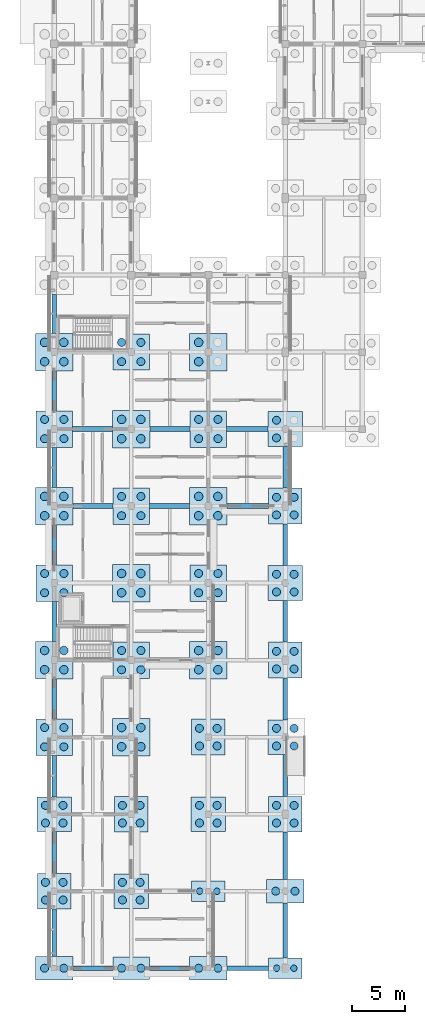
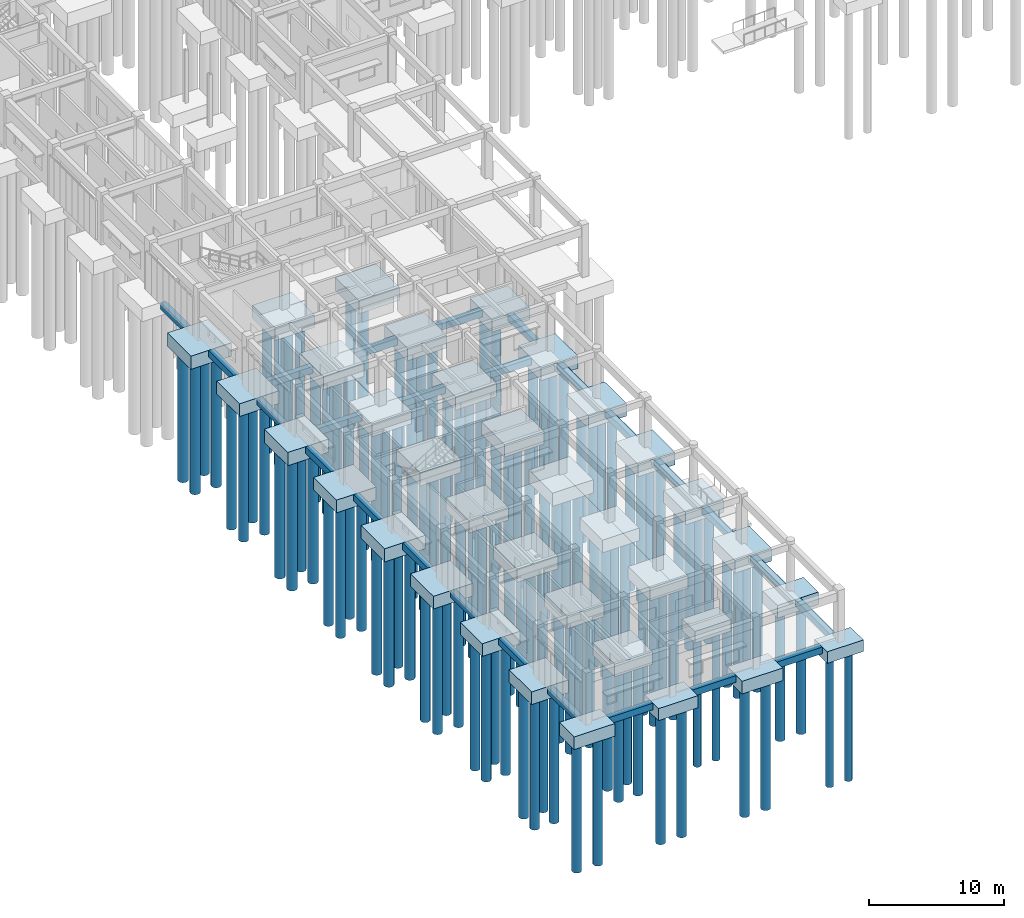
# One storey, part 1 of 111: 124 piles, 60 footings.
"""IFC4 building model written with IfcOpenShell, lengths in metres."""

from ifc_helpers import new_model, si_unit, direction, frame, origin, origin_2d, place, context, subcontext, project, spatial, rectangle, circle, extrude, material, layer, layer_set, material_profile, profile_set, type_object, element, save


model = new_model("IFC4")

# Units and contexts
model_context = context("Model", 3, precision=1e-05, world=origin(), true_north=direction((0.0, 1.0)))
body_context = subcontext(model_context, "Body", "Model", "MODEL_VIEW")
ifc_project = project(units=[si_unit("LENGTHUNIT", "METRE"), si_unit("AREAUNIT", "SQUARE_METRE"), si_unit("VOLUMEUNIT", "CUBIC_METRE"), si_unit("PLANEANGLEUNIT", "RADIAN"), si_unit("MASSUNIT", "GRAM", prefix="KILO")], contexts=[model_context])

# Site, building, storey
site_placement = place(None, origin())
site = spatial("IfcSite", under=ifc_project, at=site_placement, CompositionType="ELEMENT")
building_placement = place(site_placement, origin())
building = spatial("IfcBuilding", under=site, at=building_placement, Name="Aldebral Square Health Centre", CompositionType="ELEMENT")
storey_placement = place(building_placement, origin())
storey = spatial("IfcBuildingStorey", under=building, at=storey_placement, Name="L00", CompositionType="ELEMENT", Elevation=0.0)

# Footings
ifc_material = material(Name="Concrete C35/45", Category="concrete")
ifc_layer_1 = layer(ifc_material, 1.14990234375, Name="Concrete C35/45", Category="concrete")
ifc_layer_set_1 = layer_set([ifc_layer_1], Name="Concrete C35/45")
footing_type_1 = type_object("IfcFootingType", Name="FT-PC2A", PredefinedType="PILE_CAP", material=ifc_layer_set_1)
for number, where, z_axis, x_axis, name in (
    (1, (0.0, 0.0, -1.39990234375), (0.0, 0.0, 1.0), (1.0, 0.0, 0.0), "Pile cap PC7 at 1/1"),
    (2, (14.39990234375, 0.0, -1.39990234375), (0.0, 0.0, 1.0), (1.0, 0.0, 0.0), "Pile cap PC7 at 3/1"),
    (3, (21.60009765625, 7.199951171875, -1.39990234375), (0.0, 0.0, 1.0), (1.0, 0.0, 0.0), "Pile cap PC7 at 4/2"),
):
    element("IfcFooting", number, at=place(storey_placement, frame(where, z_axis=z_axis, x_axis=x_axis)), inside=storey, type_object=footing_type_1, Name=name, PredefinedType="PILE_CAP", context=body_context, shape_type="SweptSolid", body=[
        extrude(rectangle(XDim=3.5, YDim=2.199951171875, at=origin_2d()), origin(), (0.0, 0.0, 1.0), 1.14990234375),
    ])
ifc_layer_2 = layer(ifc_material, 1.10009765625, Name="Concrete C35/45", Category="concrete")
ifc_layer_set_2 = layer_set([ifc_layer_2], Name="Concrete C35/45")
footing_type_2 = type_object("IfcFootingType", Name="FT-PC2B", PredefinedType="PILE_CAP", material=ifc_layer_set_2)
footing_1_placement = place(storey_placement, frame((7.199951171875, 0.0, -1.35009765625), z_axis=(0.0, 0.0, 1.0), x_axis=(1.0, 0.0, 0.0)))
element("IfcFooting", 4, at=footing_1_placement, inside=storey, type_object=footing_type_2, Name="Pile cap PC8 at 2/1", PredefinedType="PILE_CAP", context=body_context, shape_type="SweptSolid", body=[
    extrude(rectangle(XDim=3.39990234375, YDim=2.10009765625, at=origin_2d()), origin(), (0.0, 0.0, 1.0), 1.10009765625),
])
ifc_layer_3 = layer(ifc_material, 1.050048828125, Name="Concrete C35/45", Category="concrete")
ifc_layer_set_3 = layer_set([ifc_layer_3], Name="Concrete C35/45")
footing_type_3 = type_object("IfcFootingType", Name="FT-PC2D", PredefinedType="PILE_CAP", material=ifc_layer_set_3)
for number, where, z_axis, x_axis, name in (
    (5, (14.39990234375, 7.199951171875, -1.2998046875), (0.0, 0.0, 1.0), (1.0, 0.0, 0.0), "Pile cap PC10 at 3/2"),
    (6, (21.60009765625, 0.0, -1.2998046875), (0.0, 0.0, 1.0), (1.0, 0.0, 0.0), "Pile cap PC10 at 4/1"),
):
    element("IfcFooting", number, at=place(storey_placement, frame(where, z_axis=z_axis, x_axis=x_axis)), inside=storey, type_object=footing_type_3, Name=name, PredefinedType="PILE_CAP", context=body_context, shape_type="SweptSolid", body=[
        extrude(rectangle(XDim=3.10009765625, YDim=1.89990234375, at=origin_2d()), origin(), (0.0, 0.0, 1.0), 1.050048828125),
    ])
ifc_layer_4 = layer(ifc_material, 1.199951171875, Name="Concrete C35/45", Category="concrete")
ifc_layer_set_4 = layer_set([ifc_layer_4], Name="Concrete C35/45")
footing_type_4 = type_object("IfcFootingType", Name="FT-PC4C", PredefinedType="PILE_CAP", material=ifc_layer_set_4)
for number, where, z_axis, x_axis, name in (
    (7, (0.0, 28.800048828125, -1.4501953125), (0.0, 0.0, 1.0), (1.0, 0.0, 0.0), "Pile cap PC3 at 1/5"),
    (8, (0.0, 43.199951171875, -1.4501953125), (0.0, 0.0, 1.0), (1.0, 0.0, 0.0), "Pile cap PC3 at 1/7"),
    (9, (0.0, 57.60009765625, -1.4501953125), (0.0, 0.0, 1.0), (1.0, 0.0, 0.0), "Pile cap PC3 at 1/9"),
    (10, (7.199951171875, 21.60009765625, -1.4501953125), (0.0, 0.0, 1.0), (1.0, 0.0, 0.0), "Pile cap PC3 at 2/4"),
    (11, (7.199951171875, 36.0, -1.4501953125), (0.0, 0.0, 1.0), (1.0, 0.0, 0.0), "Pile cap PC3 at 2/6"),
    (12, (7.199951171875, 50.39990234375, -1.4501953125), (0.0, 0.0, 1.0), (1.0, 0.0, 0.0), "Pile cap PC3 at 2/8"),
    (13, (14.39990234375, 28.800048828125, -1.4501953125), (0.0, 0.0, 1.0), (1.0, 0.0, 0.0), "Pile cap PC3 at 3/5"),
    (14, (14.39990234375, 43.199951171875, -1.4501953125), (0.0, 0.0, 1.0), (1.0, 0.0, 0.0), "Pile cap PC3 at 3/7"),
    (15, (14.39990234375, 57.60009765625, -1.4501953125), (0.0, 0.0, 1.0), (1.0, 0.0, 0.0), "Pile cap PC3 at 3/9"),
):
    element("IfcFooting", number, at=place(storey_placement, frame(where, z_axis=z_axis, x_axis=x_axis)), inside=storey, type_object=footing_type_4, Name=name, PredefinedType="PILE_CAP", context=body_context, shape_type="SweptSolid", body=[
        extrude(rectangle(XDim=3.5, YDim=3.5, at=origin_2d()), origin(), (0.0, 0.0, 1.0), 1.199951171875),
    ])
ifc_layer_5 = layer(ifc_material, 1.14990234375, Name="Concrete C35/45", Category="concrete")
ifc_layer_set_5 = layer_set([ifc_layer_5], Name="Concrete C35/45")
footing_type_5 = type_object("IfcFootingType", Name="FT-PC4D", PredefinedType="PILE_CAP", material=ifc_layer_set_5)
for number, where, z_axis, x_axis, name in (
    (16, (0.0, 21.60009765625, -1.39990234375), (0.0, 0.0, 1.0), (1.0, 0.0, 0.0), "Pile cap PC4 at 1/4"),
    (17, (0.0, 36.0, -1.39990234375), (0.0, 0.0, 1.0), (1.0, 0.0, 0.0), "Pile cap PC4 at 1/6"),
    (18, (0.0, 50.39990234375, -1.39990234375), (0.0, 0.0, 1.0), (1.0, 0.0, 0.0), "Pile cap PC4 at 1/8"),
    (19, (7.199951171875, 28.800048828125, -1.39990234375), (0.0, 0.0, 1.0), (1.0, 0.0, 0.0), "Pile cap PC4 at 2/5"),
    (20, (7.199951171875, 43.199951171875, -1.39990234375), (0.0, 0.0, 1.0), (1.0, 0.0, 0.0), "Pile cap PC4 at 2/7"),
    (21, (7.199951171875, 57.60009765625, -1.39990234375), (0.0, 0.0, 1.0), (1.0, 0.0, 0.0), "Pile cap PC4 at 2/9"),
    (22, (14.39990234375, 36.0, -1.39990234375), (0.0, 0.0, 1.0), (1.0, 0.0, 0.0), "Pile cap PC4 at 3/6"),
    (23, (14.39990234375, 50.39990234375, -1.39990234375), (0.0, 0.0, 1.0), (1.0, 0.0, 0.0), "Pile cap PC4 at 3/8"),
):
    element("IfcFooting", number, at=place(storey_placement, frame(where, z_axis=z_axis, x_axis=x_axis)), inside=storey, type_object=footing_type_5, Name=name, PredefinedType="PILE_CAP", context=body_context, shape_type="SweptSolid", body=[
        extrude(rectangle(XDim=3.39990234375, YDim=3.39990234375, at=origin_2d()), origin(), (0.0, 0.0, 1.0), 1.14990234375),
    ])
ifc_layer_6 = layer(ifc_material, 1.14990234375, Name="Concrete C35/45", Category="concrete")
ifc_layer_set_6 = layer_set([ifc_layer_6], Name="Concrete C35/45")
footing_type_6 = type_object("IfcFootingType", Name="FT-PC4E", PredefinedType="PILE_CAP", material=ifc_layer_set_6)
for number, where, z_axis, x_axis, name in (
    (24, (0.0, 14.39990234375, -1.39990234375), (0.0, 0.0, 1.0), (1.0, 0.0, 0.0), "Pile cap PC5 at 1/3"),
    (25, (7.199951171875, 7.199951171875, -1.39990234375), (0.0, 0.0, 1.0), (1.0, 0.0, 0.0), "Pile cap PC5 at 2/2"),
    (26, (14.39990234375, 14.39990234375, -1.39990234375), (0.0, 0.0, 1.0), (1.0, 0.0, 0.0), "Pile cap PC5 at 3/3"),
    (27, (21.60009765625, 21.60009765625, -1.39990234375), (0.0, 0.0, 1.0), (1.0, 0.0, 0.0), "Pile cap PC5 at 4/4"),
    (28, (21.60009765625, 36.0, -1.39990234375), (0.0, 0.0, 1.0), (1.0, 0.0, 0.0), "Pile cap PC5 at 4/6"),
    (29, (21.60009765625, 50.39990234375, -1.39990234375), (0.0, 0.0, 1.0), (1.0, 0.0, 0.0), "Pile cap PC5 at 4/8"),
):
    element("IfcFooting", number, at=place(storey_placement, frame(where, z_axis=z_axis, x_axis=x_axis)), inside=storey, type_object=footing_type_6, Name=name, PredefinedType="PILE_CAP", context=body_context, shape_type="SweptSolid", body=[
        extrude(rectangle(XDim=3.25, YDim=3.25, at=origin_2d()), origin(), (0.0, 0.0, 1.0), 1.14990234375),
    ])
ifc_layer_7 = layer(ifc_material, 1.14990234375, Name="Concrete C35/45", Category="concrete")
ifc_layer_set_7 = layer_set([ifc_layer_7], Name="Concrete C35/45")
footing_type_7 = type_object("IfcFootingType", Name="FT-PC4F", PredefinedType="PILE_CAP", material=ifc_layer_set_7)
for number, where, z_axis, x_axis, name in (
    (30, (0.0, 7.199951171875, -1.39990234375), (0.0, 0.0, 1.0), (1.0, 0.0, 0.0), "Pile cap PC6 at 1/2"),
    (31, (7.199951171875, 14.39990234375, -1.39990234375), (0.0, 0.0, 1.0), (1.0, 0.0, 0.0), "Pile cap PC6 at 2/3"),
    (32, (14.39990234375, 21.60009765625, -1.39990234375), (0.0, 0.0, 1.0), (1.0, 0.0, 0.0), "Pile cap PC6 at 3/4"),
    (33, (21.60009765625, 14.39990234375, -1.39990234375), (0.0, 0.0, 1.0), (1.0, 0.0, 0.0), "Pile cap PC6 at 4/3"),
    (34, (21.60009765625, 28.800048828125, -1.39990234375), (0.0, 0.0, 1.0), (1.0, 0.0, 0.0), "Pile cap PC6 at 4/5"),
    (35, (21.60009765625, 43.199951171875, -1.39990234375), (0.0, 0.0, 1.0), (1.0, 0.0, 0.0), "Pile cap PC6 at 4/7"),
):
    element("IfcFooting", number, at=place(storey_placement, frame(where, z_axis=z_axis, x_axis=x_axis)), inside=storey, type_object=footing_type_7, Name=name, PredefinedType="PILE_CAP", context=body_context, shape_type="SweptSolid", body=[
        extrude(rectangle(XDim=3.14990234375, YDim=3.35009765625, at=origin_2d()), origin(), (0.0, 0.0, 1.0), 1.14990234375),
    ])
ifc_material_profile_1 = material_profile(ifc_material, rectangle(XDim=0.449951171875, YDim=0.60009765625, at=origin_2d()), Name="RC 450x600")
ifc_profile_set_1 = profile_set([ifc_material_profile_1], Name="Concrete C35/45")
footing_type_8 = type_object("IfcFootingType", Name="FT-TB1", PredefinedType="FOOTING_BEAM", material=ifc_profile_set_1)
footing_2_placement = place(storey_placement, frame((1.75, 0.0, -0.550048828125), z_axis=(1.0, 0.0, 0.0), x_axis=(0.0, 1.0, 0.0)))
element("IfcFooting", 36, at=footing_2_placement, inside=storey, type_object=footing_type_8, Name="Ground tie beam X 1-1", PredefinedType="FOOTING_BEAM", context=body_context, shape_type="SweptSolid", body=[
    extrude(rectangle(XDim=0.449951171875, YDim=0.60009765625, at=origin_2d()), origin(), (0.0, 0.0, 1.0), 3.75),
])
footing_3_placement = place(storey_placement, frame((0.0, 1.10009765625, -0.550048828125), z_axis=(0.0, 1.0, 0.0), x_axis=(-1.0, 0.0, 0.0)))
element("IfcFooting", 37, at=footing_3_placement, inside=storey, type_object=footing_type_8, Name="Ground tie beam Y 1-1", PredefinedType="FOOTING_BEAM", context=body_context, shape_type="SweptSolid", body=[
    extrude(rectangle(XDim=0.449951171875, YDim=0.60009765625, at=origin_2d()), origin(), (0.0, 0.0, 1.0), 4.4248046875),
])
footing_4_placement = place(storey_placement, frame((0.0, 8.875, -0.550048828125), z_axis=(0.0, 1.0, 0.0), x_axis=(-1.0, 0.0, 0.0)))
element("IfcFooting", 38, at=footing_4_placement, inside=storey, type_object=footing_type_8, Name="Ground tie beam Y 1-2", PredefinedType="FOOTING_BEAM", context=body_context, shape_type="SweptSolid", body=[
    extrude(rectangle(XDim=0.449951171875, YDim=0.60009765625, at=origin_2d()), origin(), (0.0, 0.0, 1.0), 3.89990234375),
])
footing_5_placement = place(storey_placement, frame((0.0, 16.02490234375, -0.550048828125), z_axis=(0.0, 1.0, 0.0), x_axis=(-1.0, 0.0, 0.0)))
element("IfcFooting", 39, at=footing_5_placement, inside=storey, type_object=footing_type_8, Name="Ground tie beam Y 1-3", PredefinedType="FOOTING_BEAM", context=body_context, shape_type="SweptSolid", body=[
    extrude(rectangle(XDim=0.449951171875, YDim=0.60009765625, at=origin_2d()), origin(), (0.0, 0.0, 1.0), 3.875),
])
for number, where, z_axis, x_axis, name in (
    (40, (0.0, 23.300048828125, -0.550048828125), (0.0, 1.0, 0.0), (-1.0, 0.0, 0.0), "Ground tie beam Y 1-4"),
    (41, (0.0, 30.550048828125, -0.550048828125), (0.0, 1.0, 0.0), (-1.0, 0.0, 0.0), "Ground tie beam Y 1-5"),
    (42, (0.0, 37.699951171875, -0.550048828125), (0.0, 1.0, 0.0), (-1.0, 0.0, 0.0), "Ground tie beam Y 1-6"),
    (43, (1.75, 43.199951171875, -0.550048828125), (1.0, 0.0, 0.0), (0.0, 1.0, 0.0), "Ground tie beam X 1-7"),
    (44, (0.0, 44.949951171875, -0.550048828125), (0.0, 1.0, 0.0), (-1.0, 0.0, 0.0), "Ground tie beam Y 1-7"),
    (45, (1.699951171875, 50.39990234375, -0.550048828125), (1.0, 0.0, 0.0), (0.0, 1.0, 0.0), "Ground tie beam X 1-8"),
    (46, (0.0, 52.10009765625, -0.550048828125), (0.0, 1.0, 0.0), (-1.0, 0.0, 0.0), "Ground tie beam Y 1-8"),
):
    element("IfcFooting", number, at=place(storey_placement, frame(where, z_axis=z_axis, x_axis=x_axis)), inside=storey, type_object=footing_type_8, Name=name, PredefinedType="FOOTING_BEAM", context=body_context, shape_type="SweptSolid", body=[
        extrude(rectangle(XDim=0.449951171875, YDim=0.60009765625, at=origin_2d()), origin(), (0.0, 0.0, 1.0), 3.75),
    ])
footing_6_placement = place(storey_placement, frame((0.0, 59.35009765625, -0.550048828125), z_axis=(0.0, 1.0, 0.0), x_axis=(-1.0, 0.0, 0.0)))
element("IfcFooting", 47, at=footing_6_placement, inside=storey, type_object=footing_type_8, Name="Ground tie beam Y 1-9", PredefinedType="FOOTING_BEAM", context=body_context, shape_type="SweptSolid", body=[
    extrude(rectangle(XDim=0.449951171875, YDim=0.60009765625, at=origin_2d()), origin(), (0.0, 0.0, 1.0), 3.64990234375),
])
for number, where, z_axis, x_axis, name in (
    (48, (8.89990234375, 0.0, -0.550048828125), (1.0, 0.0, 0.0), (0.0, 1.0, 0.0), "Ground tie beam X 2-1"),
    (49, (8.89990234375, 43.199951171875, -0.550048828125), (1.0, 0.0, 0.0), (0.0, 1.0, 0.0), "Ground tie beam X 2-7"),
    (50, (8.949951171875, 50.39990234375, -0.550048828125), (1.0, 0.0, 0.0), (0.0, 1.0, 0.0), "Ground tie beam X 2-8"),
):
    element("IfcFooting", number, at=place(storey_placement, frame(where, z_axis=z_axis, x_axis=x_axis)), inside=storey, type_object=footing_type_8, Name=name, PredefinedType="FOOTING_BEAM", context=body_context, shape_type="SweptSolid", body=[
        extrude(rectangle(XDim=0.449951171875, YDim=0.60009765625, at=origin_2d()), origin(), (0.0, 0.0, 1.0), 3.75),
    ])
footing_7_placement = place(storey_placement, frame((16.14990234375, 0.0, -0.550048828125), z_axis=(1.0, 0.0, 0.0), x_axis=(0.0, 1.0, 0.0)))
element("IfcFooting", 51, at=footing_7_placement, inside=storey, type_object=footing_type_8, Name="Ground tie beam X 3-1", PredefinedType="FOOTING_BEAM", context=body_context, shape_type="SweptSolid", body=[
    extrude(rectangle(XDim=0.449951171875, YDim=0.60009765625, at=origin_2d()), origin(), (0.0, 0.0, 1.0), 3.900146484375),
])
for number, where, z_axis, x_axis, name in (
    (52, (16.14990234375, 43.199951171875, -0.550048828125), (1.0, 0.0, 0.0), (0.0, 1.0, 0.0), "Ground tie beam X 3-7"),
    (53, (16.10009765625, 50.39990234375, -0.550048828125), (1.0, 0.0, 0.0), (0.0, 1.0, 0.0), "Ground tie beam X 3-8"),
):
    element("IfcFooting", number, at=place(storey_placement, frame(where, z_axis=z_axis, x_axis=x_axis)), inside=storey, type_object=footing_type_8, Name=name, PredefinedType="FOOTING_BEAM", context=body_context, shape_type="SweptSolid", body=[
        extrude(rectangle(XDim=0.449951171875, YDim=0.60009765625, at=origin_2d()), origin(), (0.0, 0.0, 1.0), 3.875),
    ])
footing_8_placement = place(storey_placement, frame((21.60009765625, 0.949951171875, -0.550048828125), z_axis=(0.0, 1.0, 0.0), x_axis=(-1.0, 0.0, 0.0)))
element("IfcFooting", 54, at=footing_8_placement, inside=storey, type_object=footing_type_8, Name="Ground tie beam Y 4-1", PredefinedType="FOOTING_BEAM", context=body_context, shape_type="SweptSolid", body=[
    extrude(rectangle(XDim=0.449951171875, YDim=0.60009765625, at=origin_2d()), origin(), (0.0, 0.0, 1.0), 5.150146484375),
])
footing_9_placement = place(storey_placement, frame((21.60009765625, 8.300048828125, -0.550048828125), z_axis=(0.0, 1.0, 0.0), x_axis=(-1.0, 0.0, 0.0)))
element("IfcFooting", 55, at=footing_9_placement, inside=storey, type_object=footing_type_8, Name="Ground tie beam Y 4-2", PredefinedType="FOOTING_BEAM", context=body_context, shape_type="SweptSolid", body=[
    extrude(rectangle(XDim=0.449951171875, YDim=0.60009765625, at=origin_2d()), origin(), (0.0, 0.0, 1.0), 4.425048828125),
])
footing_10_placement = place(storey_placement, frame((21.60009765625, 16.074951171875, -0.550048828125), z_axis=(0.0, 1.0, 0.0), x_axis=(-1.0, 0.0, 0.0)))
element("IfcFooting", 56, at=footing_10_placement, inside=storey, type_object=footing_type_8, Name="Ground tie beam Y 4-3", PredefinedType="FOOTING_BEAM", context=body_context, shape_type="SweptSolid", body=[
    extrude(rectangle(XDim=0.449951171875, YDim=0.60009765625, at=origin_2d()), origin(), (0.0, 0.0, 1.0), 3.900146484375),
])
for number, where, z_axis, x_axis, name in (
    (57, (21.60009765625, 23.22509765625, -0.550048828125), (0.0, 1.0, 0.0), (-1.0, 0.0, 0.0), "Ground tie beam Y 4-4"),
    (58, (21.60009765625, 30.47509765625, -0.550048828125), (0.0, 1.0, 0.0), (-1.0, 0.0, 0.0), "Ground tie beam Y 4-5"),
    (59, (21.60009765625, 37.625, -0.550048828125), (0.0, 1.0, 0.0), (-1.0, 0.0, 0.0), "Ground tie beam Y 4-6"),
    (60, (21.60009765625, 44.875, -0.550048828125), (0.0, 1.0, 0.0), (-1.0, 0.0, 0.0), "Ground tie beam Y 4-7"),
):
    element("IfcFooting", number, at=place(storey_placement, frame(where, z_axis=z_axis, x_axis=x_axis)), inside=storey, type_object=footing_type_8, Name=name, PredefinedType="FOOTING_BEAM", context=body_context, shape_type="SweptSolid", body=[
        extrude(rectangle(XDim=0.449951171875, YDim=0.60009765625, at=origin_2d()), origin(), (0.0, 0.0, 1.0), 3.89990234375),
    ])

# Piles
ifc_material_profile_2 = material_profile(ifc_material, circle(Radius=0.300048828125, at=origin_2d()), Name="PILE D600")
ifc_profile_set_2 = profile_set([ifc_material_profile_2], Name="Concrete C35/45")
pile_type_1 = type_object("IfcPileType", Name="PL-600", PredefinedType="BORED", material=ifc_profile_set_2)
for number, where, z_axis, x_axis, name in (
    (61, (13.60009765625, 7.199951171875, -1.199951171875), (0.0, 0.0, -1.0), (1.0, 0.0, 0.0), "Bored pile 3-2-1"),
    (62, (15.199951171875, 7.199951171875, -1.199951171875), (0.0, 0.0, -1.0), (1.0, 0.0, 0.0), "Bored pile 3-2-2"),
    (63, (20.800048828125, 0.0, -1.199951171875), (0.0, 0.0, -1.0), (1.0, 0.0, 0.0), "Bored pile 4-1-1"),
    (64, (22.39990234375, 0.0, -1.199951171875), (0.0, 0.0, -1.0), (1.0, 0.0, 0.0), "Bored pile 4-1-2"),
):
    element("IfcPile", number, at=place(storey_placement, frame(where, z_axis=z_axis, x_axis=x_axis)), inside=storey, type_object=pile_type_1, Name=name, PredefinedType="BORED", context=body_context, shape_type="SweptSolid", body=[
        extrude(circle(Radius=0.300048828125, at=origin_2d()), origin(), (0.0, 0.0, 1.0), 12.0),
    ])
ifc_material_profile_3 = material_profile(ifc_material, circle(Radius=0.375, at=origin_2d()), Name="PILE D750")
ifc_profile_set_3 = profile_set([ifc_material_profile_3], Name="Concrete C35/45")
pile_type_2 = type_object("IfcPileType", Name="PL-750", PredefinedType="BORED", material=ifc_profile_set_3)
for number, where, z_axis, x_axis, name in (
    (65, (-0.89990234375, 0.0, -1.300048828125), (0.0, 0.0, -1.0), (1.0, 0.0, 0.0), "Bored pile 1-1-1"),
    (66, (0.89990234375, 0.0, -1.300048828125), (0.0, 0.0, -1.0), (1.0, 0.0, 0.0), "Bored pile 1-1-2"),
    (67, (-0.824951171875, 6.375, -1.300048828125), (0.0, 0.0, -1.0), (1.0, 0.0, 0.0), "Bored pile 1-2-1"),
    (68, (0.824951171875, 6.375, -1.300048828125), (0.0, 0.0, -1.0), (1.0, 0.0, 0.0), "Bored pile 1-2-2"),
    (69, (-0.824951171875, 8.02490234375, -1.300048828125), (0.0, 0.0, -1.0), (1.0, 0.0, 0.0), "Bored pile 1-2-3"),
    (70, (0.824951171875, 8.02490234375, -1.300048828125), (0.0, 0.0, -1.0), (1.0, 0.0, 0.0), "Bored pile 1-2-4"),
    (71, (-0.824951171875, 13.574951171875, -1.300048828125), (0.0, 0.0, -1.0), (1.0, 0.0, 0.0), "Bored pile 1-3-1"),
    (72, (0.824951171875, 13.574951171875, -1.300048828125), (0.0, 0.0, -1.0), (1.0, 0.0, 0.0), "Bored pile 1-3-2"),
    (73, (-0.824951171875, 15.22509765625, -1.300048828125), (0.0, 0.0, -1.0), (1.0, 0.0, 0.0), "Bored pile 1-3-3"),
    (74, (0.824951171875, 15.22509765625, -1.300048828125), (0.0, 0.0, -1.0), (1.0, 0.0, 0.0), "Bored pile 1-3-4"),
    (75, (-0.89990234375, 20.699951171875, -1.300048828125), (0.0, 0.0, -1.0), (1.0, 0.0, 0.0), "Bored pile 1-4-1"),
    (76, (0.89990234375, 20.699951171875, -1.300048828125), (0.0, 0.0, -1.0), (1.0, 0.0, 0.0), "Bored pile 1-4-2"),
    (77, (-0.89990234375, 22.5, -1.300048828125), (0.0, 0.0, -1.0), (1.0, 0.0, 0.0), "Bored pile 1-4-3"),
    (78, (0.89990234375, 22.5, -1.300048828125), (0.0, 0.0, -1.0), (1.0, 0.0, 0.0), "Bored pile 1-4-4"),
    (79, (-0.89990234375, 35.10009765625, -1.300048828125), (0.0, 0.0, -1.0), (1.0, 0.0, 0.0), "Bored pile 1-6-1"),
    (80, (0.89990234375, 35.10009765625, -1.300048828125), (0.0, 0.0, -1.0), (1.0, 0.0, 0.0), "Bored pile 1-6-2"),
    (81, (-0.89990234375, 36.89990234375, -1.300048828125), (0.0, 0.0, -1.0), (1.0, 0.0, 0.0), "Bored pile 1-6-3"),
    (82, (0.89990234375, 36.89990234375, -1.300048828125), (0.0, 0.0, -1.0), (1.0, 0.0, 0.0), "Bored pile 1-6-4"),
    (83, (-0.89990234375, 49.5, -1.300048828125), (0.0, 0.0, -1.0), (1.0, 0.0, 0.0), "Bored pile 1-8-1"),
    (84, (0.89990234375, 49.5, -1.300048828125), (0.0, 0.0, -1.0), (1.0, 0.0, 0.0), "Bored pile 1-8-2"),
    (85, (-0.89990234375, 51.300048828125, -1.300048828125), (0.0, 0.0, -1.0), (1.0, 0.0, 0.0), "Bored pile 1-8-3"),
    (86, (0.89990234375, 51.300048828125, -1.300048828125), (0.0, 0.0, -1.0), (1.0, 0.0, 0.0), "Bored pile 1-8-4"),
    (87, (6.300048828125, 0.0, -1.25), (0.0, 0.0, -1.0), (1.0, 0.0, 0.0), "Bored pile 2-1-1"),
    (88, (8.10009765625, 0.0, -1.25), (0.0, 0.0, -1.0), (1.0, 0.0, 0.0), "Bored pile 2-1-2"),
    (89, (6.375, 6.375, -1.300048828125), (0.0, 0.0, -1.0), (1.0, 0.0, 0.0), "Bored pile 2-2-1"),
    (90, (8.02490234375, 6.375, -1.300048828125), (0.0, 0.0, -1.0), (1.0, 0.0, 0.0), "Bored pile 2-2-2"),
    (91, (6.375, 8.02490234375, -1.300048828125), (0.0, 0.0, -1.0), (1.0, 0.0, 0.0), "Bored pile 2-2-3"),
    (92, (8.02490234375, 8.02490234375, -1.300048828125), (0.0, 0.0, -1.0), (1.0, 0.0, 0.0), "Bored pile 2-2-4"),
    (93, (6.375, 13.574951171875, -1.300048828125), (0.0, 0.0, -1.0), (1.0, 0.0, 0.0), "Bored pile 2-3-1"),
    (94, (8.02490234375, 13.574951171875, -1.300048828125), (0.0, 0.0, -1.0), (1.0, 0.0, 0.0), "Bored pile 2-3-2"),
    (95, (6.375, 15.22509765625, -1.300048828125), (0.0, 0.0, -1.0), (1.0, 0.0, 0.0), "Bored pile 2-3-3"),
    (96, (8.02490234375, 15.22509765625, -1.300048828125), (0.0, 0.0, -1.0), (1.0, 0.0, 0.0), "Bored pile 2-3-4"),
    (97, (6.300048828125, 27.89990234375, -1.300048828125), (0.0, 0.0, -1.0), (1.0, 0.0, 0.0), "Bored pile 2-5-1"),
    (98, (8.10009765625, 27.89990234375, -1.300048828125), (0.0, 0.0, -1.0), (1.0, 0.0, 0.0), "Bored pile 2-5-2"),
    (99, (6.300048828125, 29.699951171875, -1.300048828125), (0.0, 0.0, -1.0), (1.0, 0.0, 0.0), "Bored pile 2-5-3"),
    (100, (8.10009765625, 29.699951171875, -1.300048828125), (0.0, 0.0, -1.0), (1.0, 0.0, 0.0), "Bored pile 2-5-4"),
    (101, (6.300048828125, 42.300048828125, -1.300048828125), (0.0, 0.0, -1.0), (1.0, 0.0, 0.0), "Bored pile 2-7-1"),
    (102, (8.10009765625, 42.300048828125, -1.300048828125), (0.0, 0.0, -1.0), (1.0, 0.0, 0.0), "Bored pile 2-7-2"),
    (103, (6.300048828125, 44.10009765625, -1.300048828125), (0.0, 0.0, -1.0), (1.0, 0.0, 0.0), "Bored pile 2-7-3"),
    (104, (8.10009765625, 44.10009765625, -1.300048828125), (0.0, 0.0, -1.0), (1.0, 0.0, 0.0), "Bored pile 2-7-4"),
    (105, (6.300048828125, 56.699951171875, -1.300048828125), (0.0, 0.0, -1.0), (1.0, 0.0, 0.0), "Bored pile 2-9-1"),
    (106, (8.10009765625, 56.699951171875, -1.300048828125), (0.0, 0.0, -1.0), (1.0, 0.0, 0.0), "Bored pile 2-9-2"),
    (107, (6.300048828125, 58.5, -1.300048828125), (0.0, 0.0, -1.0), (1.0, 0.0, 0.0), "Bored pile 2-9-3"),
    (108, (8.10009765625, 58.5, -1.300048828125), (0.0, 0.0, -1.0), (1.0, 0.0, 0.0), "Bored pile 2-9-4"),
    (109, (13.5, 0.0, -1.300048828125), (0.0, 0.0, -1.0), (1.0, 0.0, 0.0), "Bored pile 3-1-1"),
    (110, (15.300048828125, 0.0, -1.300048828125), (0.0, 0.0, -1.0), (1.0, 0.0, 0.0), "Bored pile 3-1-2"),
    (111, (13.574951171875, 13.574951171875, -1.300048828125), (0.0, 0.0, -1.0), (1.0, 0.0, 0.0), "Bored pile 3-3-1"),
    (112, (15.22509765625, 13.574951171875, -1.300048828125), (0.0, 0.0, -1.0), (1.0, 0.0, 0.0), "Bored pile 3-3-2"),
    (113, (13.574951171875, 15.22509765625, -1.300048828125), (0.0, 0.0, -1.0), (1.0, 0.0, 0.0), "Bored pile 3-3-3"),
    (114, (15.22509765625, 15.22509765625, -1.300048828125), (0.0, 0.0, -1.0), (1.0, 0.0, 0.0), "Bored pile 3-3-4"),
    (115, (13.574951171875, 20.77490234375, -1.300048828125), (0.0, 0.0, -1.0), (1.0, 0.0, 0.0), "Bored pile 3-4-1"),
    (116, (15.22509765625, 20.77490234375, -1.300048828125), (0.0, 0.0, -1.0), (1.0, 0.0, 0.0), "Bored pile 3-4-2"),
    (117, (13.574951171875, 22.425048828125, -1.300048828125), (0.0, 0.0, -1.0), (1.0, 0.0, 0.0), "Bored pile 3-4-3"),
    (118, (15.22509765625, 22.425048828125, -1.300048828125), (0.0, 0.0, -1.0), (1.0, 0.0, 0.0), "Bored pile 3-4-4"),
    (119, (13.5, 35.10009765625, -1.300048828125), (0.0, 0.0, -1.0), (1.0, 0.0, 0.0), "Bored pile 3-6-1"),
    (120, (15.300048828125, 35.10009765625, -1.300048828125), (0.0, 0.0, -1.0), (1.0, 0.0, 0.0), "Bored pile 3-6-2"),
    (121, (13.5, 36.89990234375, -1.300048828125), (0.0, 0.0, -1.0), (1.0, 0.0, 0.0), "Bored pile 3-6-3"),
    (122, (15.300048828125, 36.89990234375, -1.300048828125), (0.0, 0.0, -1.0), (1.0, 0.0, 0.0), "Bored pile 3-6-4"),
    (123, (13.5, 49.5, -1.300048828125), (0.0, 0.0, -1.0), (1.0, 0.0, 0.0), "Bored pile 3-8-1"),
    (124, (15.300048828125, 49.5, -1.300048828125), (0.0, 0.0, -1.0), (1.0, 0.0, 0.0), "Bored pile 3-8-2"),
    (125, (13.5, 51.300048828125, -1.300048828125), (0.0, 0.0, -1.0), (1.0, 0.0, 0.0), "Bored pile 3-8-3"),
    (126, (15.300048828125, 51.300048828125, -1.300048828125), (0.0, 0.0, -1.0), (1.0, 0.0, 0.0), "Bored pile 3-8-4"),
    (127, (20.699951171875, 7.199951171875, -1.300048828125), (0.0, 0.0, -1.0), (1.0, 0.0, 0.0), "Bored pile 4-2-1"),
    (128, (22.5, 7.199951171875, -1.300048828125), (0.0, 0.0, -1.0), (1.0, 0.0, 0.0), "Bored pile 4-2-2"),
    (129, (20.77490234375, 13.574951171875, -1.300048828125), (0.0, 0.0, -1.0), (1.0, 0.0, 0.0), "Bored pile 4-3-1"),
    (130, (22.425048828125, 13.574951171875, -1.300048828125), (0.0, 0.0, -1.0), (1.0, 0.0, 0.0), "Bored pile 4-3-2"),
    (131, (20.77490234375, 15.22509765625, -1.300048828125), (0.0, 0.0, -1.0), (1.0, 0.0, 0.0), "Bored pile 4-3-3"),
    (132, (22.425048828125, 15.22509765625, -1.300048828125), (0.0, 0.0, -1.0), (1.0, 0.0, 0.0), "Bored pile 4-3-4"),
    (133, (20.77490234375, 20.77490234375, -1.300048828125), (0.0, 0.0, -1.0), (1.0, 0.0, 0.0), "Bored pile 4-4-1"),
    (134, (22.425048828125, 20.77490234375, -1.300048828125), (0.0, 0.0, -1.0), (1.0, 0.0, 0.0), "Bored pile 4-4-2"),
    (135, (20.77490234375, 22.425048828125, -1.300048828125), (0.0, 0.0, -1.0), (1.0, 0.0, 0.0), "Bored pile 4-4-3"),
    (136, (22.425048828125, 22.425048828125, -1.300048828125), (0.0, 0.0, -1.0), (1.0, 0.0, 0.0), "Bored pile 4-4-4"),
    (137, (20.77490234375, 27.97509765625, -1.300048828125), (0.0, 0.0, -1.0), (1.0, 0.0, 0.0), "Bored pile 4-5-1"),
    (138, (22.425048828125, 27.97509765625, -1.300048828125), (0.0, 0.0, -1.0), (1.0, 0.0, 0.0), "Bored pile 4-5-2"),
    (139, (20.77490234375, 29.625, -1.300048828125), (0.0, 0.0, -1.0), (1.0, 0.0, 0.0), "Bored pile 4-5-3"),
    (140, (22.425048828125, 29.625, -1.300048828125), (0.0, 0.0, -1.0), (1.0, 0.0, 0.0), "Bored pile 4-5-4"),
    (141, (20.77490234375, 35.175048828125, -1.300048828125), (0.0, 0.0, -1.0), (1.0, 0.0, 0.0), "Bored pile 4-6-1"),
    (142, (22.425048828125, 35.175048828125, -1.300048828125), (0.0, 0.0, -1.0), (1.0, 0.0, 0.0), "Bored pile 4-6-2"),
    (143, (20.77490234375, 36.824951171875, -1.300048828125), (0.0, 0.0, -1.0), (1.0, 0.0, 0.0), "Bored pile 4-6-3"),
    (144, (22.425048828125, 36.824951171875, -1.300048828125), (0.0, 0.0, -1.0), (1.0, 0.0, 0.0), "Bored pile 4-6-4"),
    (145, (20.77490234375, 42.375, -1.300048828125), (0.0, 0.0, -1.0), (1.0, 0.0, 0.0), "Bored pile 4-7-1"),
    (146, (22.425048828125, 42.375, -1.300048828125), (0.0, 0.0, -1.0), (1.0, 0.0, 0.0), "Bored pile 4-7-2"),
    (147, (20.77490234375, 44.02490234375, -1.300048828125), (0.0, 0.0, -1.0), (1.0, 0.0, 0.0), "Bored pile 4-7-3"),
    (148, (22.425048828125, 44.02490234375, -1.300048828125), (0.0, 0.0, -1.0), (1.0, 0.0, 0.0), "Bored pile 4-7-4"),
    (149, (20.77490234375, 49.574951171875, -1.300048828125), (0.0, 0.0, -1.0), (1.0, 0.0, 0.0), "Bored pile 4-8-1"),
    (150, (20.77490234375, 51.22509765625, -1.300048828125), (0.0, 0.0, -1.0), (1.0, 0.0, 0.0), "Bored pile 4-8-3"),
):
    element("IfcPile", number, at=place(storey_placement, frame(where, z_axis=z_axis, x_axis=x_axis)), inside=storey, type_object=pile_type_2, Name=name, PredefinedType="BORED", context=body_context, shape_type="SweptSolid", body=[
        extrude(circle(Radius=0.375, at=origin_2d()), origin(), (0.0, 0.0, 1.0), 12.0),
    ])
ifc_material_profile_4 = material_profile(ifc_material, circle(Radius=0.39990234375, at=origin_2d()), Name="PILE D800")
ifc_profile_set_4 = profile_set([ifc_material_profile_4], Name="Concrete C35/45")
pile_type_3 = type_object("IfcPileType", Name="PL-800", PredefinedType="BORED", material=ifc_profile_set_4)
for number, where, z_axis, x_axis, name in (
    (151, (-0.89990234375, 27.89990234375, -1.35009765625), (0.0, 0.0, -1.0), (1.0, 0.0, 0.0), "Bored pile 1-5-1"),
    (152, (0.89990234375, 27.89990234375, -1.35009765625), (0.0, 0.0, -1.0), (1.0, 0.0, 0.0), "Bored pile 1-5-2"),
    (153, (-0.89990234375, 29.699951171875, -1.35009765625), (0.0, 0.0, -1.0), (1.0, 0.0, 0.0), "Bored pile 1-5-3"),
    (154, (0.89990234375, 29.699951171875, -1.35009765625), (0.0, 0.0, -1.0), (1.0, 0.0, 0.0), "Bored pile 1-5-4"),
    (155, (-0.89990234375, 42.300048828125, -1.35009765625), (0.0, 0.0, -1.0), (1.0, 0.0, 0.0), "Bored pile 1-7-1"),
    (156, (0.89990234375, 42.300048828125, -1.35009765625), (0.0, 0.0, -1.0), (1.0, 0.0, 0.0), "Bored pile 1-7-2"),
    (157, (-0.89990234375, 44.10009765625, -1.35009765625), (0.0, 0.0, -1.0), (1.0, 0.0, 0.0), "Bored pile 1-7-3"),
    (158, (0.89990234375, 44.10009765625, -1.35009765625), (0.0, 0.0, -1.0), (1.0, 0.0, 0.0), "Bored pile 1-7-4"),
    (159, (-0.89990234375, 56.699951171875, -1.35009765625), (0.0, 0.0, -1.0), (1.0, 0.0, 0.0), "Bored pile 1-9-1"),
    (160, (0.89990234375, 56.699951171875, -1.35009765625), (0.0, 0.0, -1.0), (1.0, 0.0, 0.0), "Bored pile 1-9-2"),
    (161, (-0.89990234375, 58.5, -1.35009765625), (0.0, 0.0, -1.0), (1.0, 0.0, 0.0), "Bored pile 1-9-3"),
    (162, (0.89990234375, 58.5, -1.35009765625), (0.0, 0.0, -1.0), (1.0, 0.0, 0.0), "Bored pile 1-9-4"),
    (163, (6.300048828125, 20.699951171875, -1.35009765625), (0.0, 0.0, -1.0), (1.0, 0.0, 0.0), "Bored pile 2-4-1"),
    (164, (8.10009765625, 20.699951171875, -1.35009765625), (0.0, 0.0, -1.0), (1.0, 0.0, 0.0), "Bored pile 2-4-2"),
    (165, (6.300048828125, 22.5, -1.35009765625), (0.0, 0.0, -1.0), (1.0, 0.0, 0.0), "Bored pile 2-4-3"),
    (166, (8.10009765625, 22.5, -1.35009765625), (0.0, 0.0, -1.0), (1.0, 0.0, 0.0), "Bored pile 2-4-4"),
    (167, (6.300048828125, 35.10009765625, -1.35009765625), (0.0, 0.0, -1.0), (1.0, 0.0, 0.0), "Bored pile 2-6-1"),
    (168, (8.10009765625, 35.10009765625, -1.35009765625), (0.0, 0.0, -1.0), (1.0, 0.0, 0.0), "Bored pile 2-6-2"),
    (169, (6.300048828125, 36.89990234375, -1.35009765625), (0.0, 0.0, -1.0), (1.0, 0.0, 0.0), "Bored pile 2-6-3"),
    (170, (8.10009765625, 36.89990234375, -1.35009765625), (0.0, 0.0, -1.0), (1.0, 0.0, 0.0), "Bored pile 2-6-4"),
    (171, (6.300048828125, 49.5, -1.35009765625), (0.0, 0.0, -1.0), (1.0, 0.0, 0.0), "Bored pile 2-8-1"),
    (172, (8.10009765625, 49.5, -1.35009765625), (0.0, 0.0, -1.0), (1.0, 0.0, 0.0), "Bored pile 2-8-2"),
    (173, (6.300048828125, 51.300048828125, -1.35009765625), (0.0, 0.0, -1.0), (1.0, 0.0, 0.0), "Bored pile 2-8-3"),
    (174, (8.10009765625, 51.300048828125, -1.35009765625), (0.0, 0.0, -1.0), (1.0, 0.0, 0.0), "Bored pile 2-8-4"),
    (175, (13.5, 27.89990234375, -1.35009765625), (0.0, 0.0, -1.0), (1.0, 0.0, 0.0), "Bored pile 3-5-1"),
    (176, (15.300048828125, 27.89990234375, -1.35009765625), (0.0, 0.0, -1.0), (1.0, 0.0, 0.0), "Bored pile 3-5-2"),
    (177, (13.5, 29.699951171875, -1.35009765625), (0.0, 0.0, -1.0), (1.0, 0.0, 0.0), "Bored pile 3-5-3"),
    (178, (15.300048828125, 29.699951171875, -1.35009765625), (0.0, 0.0, -1.0), (1.0, 0.0, 0.0), "Bored pile 3-5-4"),
    (179, (13.5, 42.300048828125, -1.35009765625), (0.0, 0.0, -1.0), (1.0, 0.0, 0.0), "Bored pile 3-7-1"),
    (180, (15.300048828125, 42.300048828125, -1.35009765625), (0.0, 0.0, -1.0), (1.0, 0.0, 0.0), "Bored pile 3-7-2"),
    (181, (13.5, 44.10009765625, -1.35009765625), (0.0, 0.0, -1.0), (1.0, 0.0, 0.0), "Bored pile 3-7-3"),
    (182, (15.300048828125, 44.10009765625, -1.35009765625), (0.0, 0.0, -1.0), (1.0, 0.0, 0.0), "Bored pile 3-7-4"),
    (183, (13.5, 56.699951171875, -1.35009765625), (0.0, 0.0, -1.0), (1.0, 0.0, 0.0), "Bored pile 3-9-1"),
    (184, (13.5, 58.5, -1.35009765625), (0.0, 0.0, -1.0), (1.0, 0.0, 0.0), "Bored pile 3-9-3"),
):
    element("IfcPile", number, at=place(storey_placement, frame(where, z_axis=z_axis, x_axis=x_axis)), inside=storey, type_object=pile_type_3, Name=name, PredefinedType="BORED", context=body_context, shape_type="SweptSolid", body=[
        extrude(circle(Radius=0.39990234375, at=origin_2d()), origin(), (0.0, 0.0, 1.0), 12.0),
    ])

save(model, "model.ifc")
